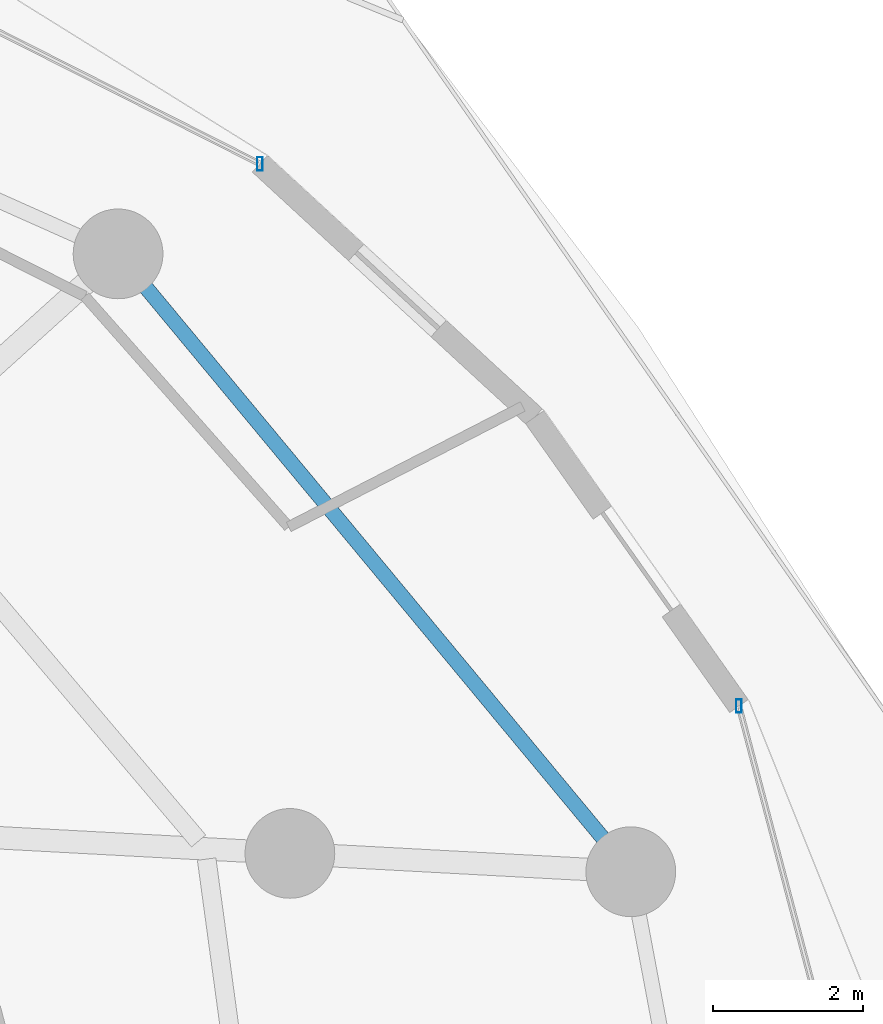
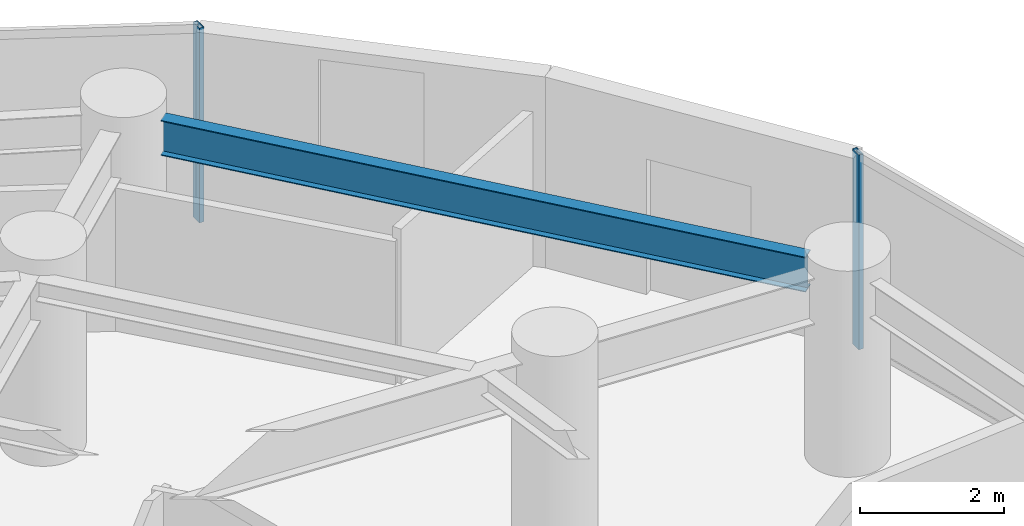
# One storey, part 21 of 30: 2 members, 1 beam, 2 elements without a shape of their own.
"""IFC4 building model written with IfcOpenShell, lengths in metres."""

from ifc_helpers import new_model, si_unit, direction, frame, origin, origin_2d, place, context, subcontext, project, spatial, hollow_rectangle, i_section, extrude, material, material_profile, profile_set, type_object, element, aggregate, save


model = new_model("IFC4")

# Units and contexts
model_context = context("Model", 3, precision=1e-05, world=origin(), true_north=direction((0.0, 1.0)))
body_context = subcontext(model_context, "Body", "Model", "MODEL_VIEW")
ifc_project = project(units=[si_unit("LENGTHUNIT", "METRE"), si_unit("AREAUNIT", "SQUARE_METRE"), si_unit("VOLUMEUNIT", "CUBIC_METRE"), si_unit("PLANEANGLEUNIT", "RADIAN"), si_unit("MASSUNIT", "GRAM", prefix="KILO")], contexts=[model_context])

# Site, building, storey
site_placement = place(None, origin())
site = spatial("IfcSite", under=ifc_project, at=site_placement, CompositionType="ELEMENT")
building_placement = place(site_placement, origin())
building = spatial("IfcBuilding", under=site, at=building_placement, Name="Vorneva Point Tower", CompositionType="ELEMENT")
storey_placement = place(building_placement, frame((0.0, 0.0, 55.5)))
storey = spatial("IfcBuildingStorey", under=building, at=storey_placement, Name="L14", CompositionType="ELEMENT", Elevation=55.5)

# Beam
ifc_material_1 = material(Name="Steel S355", Category="steel")
ifc_material_profile_1 = material_profile(ifc_material_1, i_section(OverallWidth=0.198974609375, OverallDepth=0.595947265625, WebThickness=0.010009765625, FlangeThickness=0.014892578125, at=origin_2d()), Name="60B1")
ifc_profile_set_1 = profile_set([ifc_material_profile_1], Name="Steel S355")
beam_type = type_object("IfcBeamType", Name="BM-SPN-60B1", PredefinedType="SPANDREL", material=ifc_profile_set_1)
beam_placement = place(storey_placement, frame((63.48095703125, 32.786865234375, 2.94189453125), z_axis=(-0.63859176117, 0.769545685821, 0.0), x_axis=(-0.769545685821, -0.63859176117, 0.0)))
element("IfcBeam", 1, at=beam_placement, inside=storey, type_object=beam_type, Name="L14 Perimeter Spandrel Ring Beam 02", PredefinedType="SPANDREL", context=body_context, shape_type="SweptSolid", body=[
    extrude(i_section(OverallWidth=0.198974609375, OverallDepth=0.595947265625, WebThickness=0.010009765625, FlangeThickness=0.014892578125, at=origin_2d()), origin(), (0.0, 0.0, 1.0), 9.567626953125),
])

# Curtain wall, member
ifc_material_2 = material(Name="Pale anodised aluminium", Category="aluminium")
curtain_wall_type = type_object("IfcCurtainWallType", Name="CW-HTL-SYS", PredefinedType="NOTDEFINED", material=ifc_material_2)
curtain_wall_1_placement = place(storey_placement, origin())
curtain_wall_1 = element("IfcCurtainWall", 2, at=curtain_wall_1_placement, inside=storey, type_object=curtain_wall_type, Name="L14 Unitised Curtain Wall CW-L14-R01", PredefinedType="NOTDEFINED")
ifc_material_profile_2 = material_profile(ifc_material_2, hollow_rectangle(XDim=0.074951171875, YDim=0.179931640625, WallThickness=0.00390625, at=origin_2d()), Name="AL-MUL 180x75x4")
ifc_profile_set_2 = profile_set([ifc_material_profile_2], Name="Pale anodised aluminium")
member_type = type_object("IfcMemberType", Name="CW-MUL-180", PredefinedType="MULLION", material=ifc_profile_set_2)
member_1_placement = place(storey_placement, frame((65.300537109375, 34.552978515625, -0.0400390625), z_axis=(0.0, 0.0, 1.0), x_axis=(1.0, 0.0, 0.0)))
member_1 = element("IfcMember", 3, at=member_1_placement, type_object=member_type, Name="CW-L14-R01 Mullion 04", PredefinedType="MULLION", context=body_context, shape_type="SweptSolid", body=[
    extrude(hollow_rectangle(XDim=0.074951171875, YDim=0.179931640625, WallThickness=0.00390625, at=origin_2d()), origin(), (0.0, 0.0, 1.0), 3.31005859375),
])
aggregate(curtain_wall_1, [member_1])

curtain_wall_2_placement = place(storey_placement, origin())
curtain_wall_2 = element("IfcCurtainWall", 4, at=curtain_wall_2_placement, inside=storey, type_object=curtain_wall_type, Name="L14 Unitised Curtain Wall CW-L14-R02", PredefinedType="NOTDEFINED")
member_2_placement = place(storey_placement, frame((58.89501953125, 41.8037109375, -0.0400390625), z_axis=(0.0, 0.0, 1.0), x_axis=(1.0, 0.0, 0.0)))
member_2 = element("IfcMember", 5, at=member_2_placement, type_object=member_type, Name="CW-L14-R02 Mullion 01", PredefinedType="MULLION", context=body_context, shape_type="SweptSolid", body=[
    extrude(hollow_rectangle(XDim=0.074951171875, YDim=0.179931640625, WallThickness=0.00390625, at=origin_2d()), origin(), (0.0, 0.0, 1.0), 3.31005859375),
])
aggregate(curtain_wall_2, [member_2])

save(model, "model.ifc")
